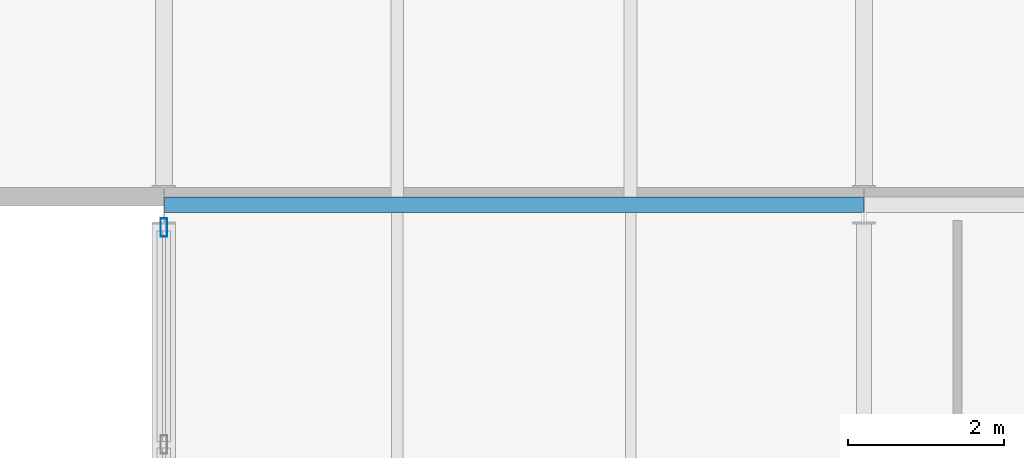
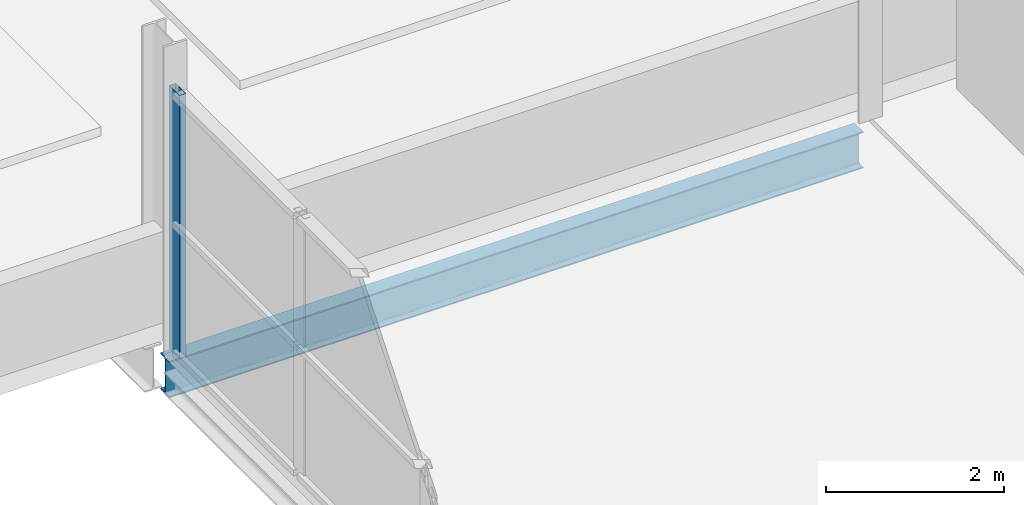
# One storey, part 21 of 59: 1 beam, 1 member, 1 element without a shape of its own.
"""IFC4 building model written with IfcOpenShell, lengths in metres."""

from ifc_helpers import new_model, si_unit, direction, frame, origin, origin_2d, place, context, subcontext, project, spatial, hollow_rectangle, i_section, extrude, material, layer, layer_set, material_profile, profile_set, type_object, element, aggregate, save


model = new_model("IFC4")

# Units and contexts
model_context = context("Model", 3, precision=1e-05, world=origin(), true_north=direction((0.0, 1.0)))
body_context = subcontext(model_context, "Body", "Model", "MODEL_VIEW")
ifc_project = project(units=[si_unit("LENGTHUNIT", "METRE"), si_unit("AREAUNIT", "SQUARE_METRE"), si_unit("VOLUMEUNIT", "CUBIC_METRE"), si_unit("PLANEANGLEUNIT", "RADIAN"), si_unit("MASSUNIT", "GRAM", prefix="KILO")], contexts=[model_context])

# Site, building, storey
site_placement = place(None, origin())
site = spatial("IfcSite", under=ifc_project, at=site_placement, CompositionType="ELEMENT")
building_placement = place(site_placement, origin())
building = spatial("IfcBuilding", under=site, at=building_placement, Name="Deido Ridge Mobility Hub", CompositionType="ELEMENT")
storey_placement = place(building_placement, frame((0.0, 0.0, 21.0)))
storey = spatial("IfcBuildingStorey", under=building, at=storey_placement, Name="L05", CompositionType="ELEMENT", Elevation=21.0)

# Beam
ifc_material_1 = material(Name="Steel S355J2 EN 10025-2", Category="steel")
ifc_material_profile_1 = material_profile(ifc_material_1, i_section(OverallWidth=0.199951171875, OverallDepth=0.5, WebThickness=0.01025390625, FlangeThickness=0.01611328125, FilletRadius=0.02099609375, at=origin_2d()), Name="IPE 500")
ifc_profile_set_1 = profile_set([ifc_material_profile_1], Name="Steel S355J2 EN 10025-2")
beam_type = type_object("IfcBeamType", Name="BM-IPE500", PredefinedType="BEAM", material=ifc_profile_set_1)
beam_placement = place(storey_placement, frame((63.007080078125, 81.0, -0.4951171875), z_axis=(1.0, 0.0, 0.0), x_axis=(0.0, 1.0, 0.0)))
element("IfcBeam", 1, at=beam_placement, inside=storey, type_object=beam_type, Name="Floor beam B3", PredefinedType="BEAM", context=body_context, shape_type="SweptSolid", body=[
    extrude(i_section(OverallWidth=0.199951171875, OverallDepth=0.5, WebThickness=0.01025390625, FlangeThickness=0.01611328125, FilletRadius=0.02099609375, at=origin_2d()), origin(), (0.0, 0.0, 1.0), 8.98583984375),
])

# Curtain wall, member
ifc_material_2 = material(Name="Anodised aluminium EN AW-6063 T6", Category="aluminium")
ifc_layer = layer(ifc_material_2, 0.156005859375, Name="Anodised aluminium EN AW-6063 T6")
ifc_layer_set = layer_set([ifc_layer], Name="Anodised aluminium EN AW-6063 T6")
curtain_wall_type = type_object("IfcCurtainWallType", Name="CW-GS-3", PredefinedType="USERDEFINED", material=ifc_layer_set)
curtain_wall_placement = place(storey_placement, origin())
curtain_wall = element("IfcCurtainWall", 2, at=curtain_wall_placement, inside=storey, type_object=curtain_wall_type, Name="Unitised curtain wall GS3", ObjectType="GLAZED SCREEN", PredefinedType="USERDEFINED")
ifc_material_profile_2 = material_profile(ifc_material_2, hollow_rectangle(XDim=0.0849609375, YDim=0.235107421875, WallThickness=0.00390625, at=origin_2d()), Name="RHS 85x235x4")
ifc_profile_set_2 = profile_set([ifc_material_profile_2], Name="Anodised aluminium EN AW-6063 T6")
member_type = type_object("IfcMemberType", Name="MEM-MUL-85X235", PredefinedType="MULLION", material=ifc_profile_set_2)
member_placement = place(storey_placement, frame((63.0, 80.70751953125, 0.0), z_axis=(0.0, 0.0, 1.0), x_axis=(-1.0, 0.0, 0.0)))
member = element("IfcMember", 3, at=member_placement, type_object=member_type, Name="GS3 mullion 4", PredefinedType="MULLION", context=body_context, shape_type="SweptSolid", body=[
    extrude(hollow_rectangle(XDim=0.0849609375, YDim=0.235107421875, WallThickness=0.00390625, at=origin_2d()), origin(), (0.0, 0.0, 1.0), 3.60009765625),
])
aggregate(curtain_wall, [member])

save(model, "model.ifc")
